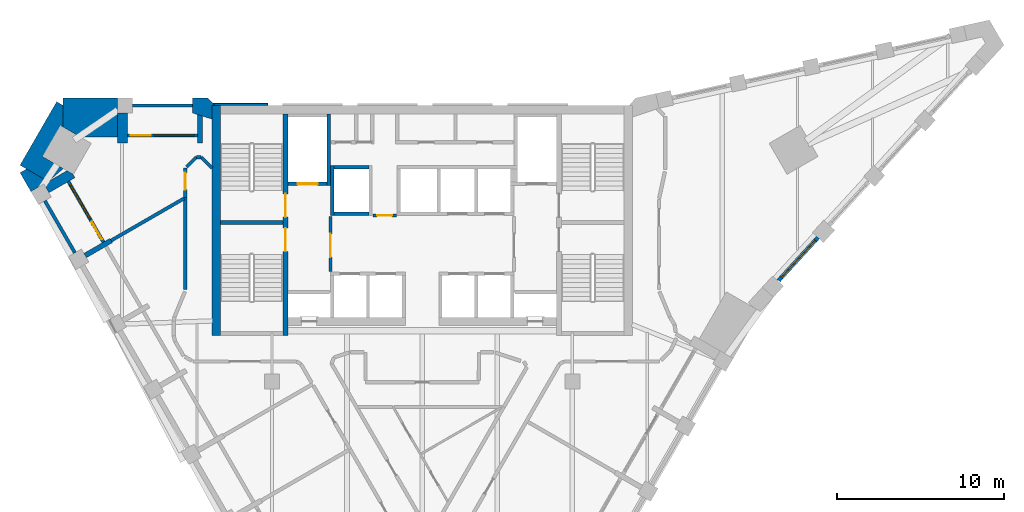
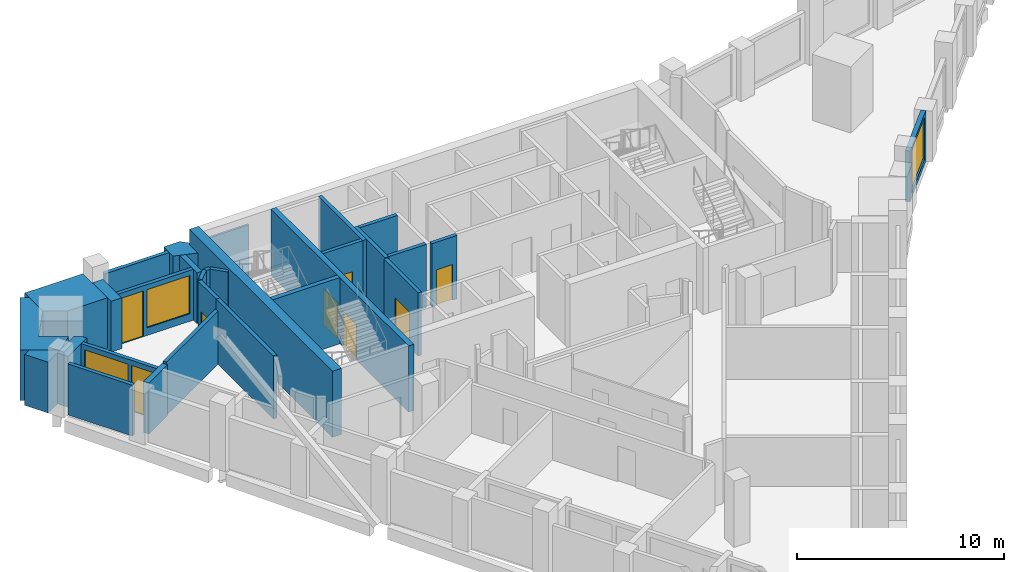
# One storey, part 5 of 8: 30 walls, 8 doors, 3 windows, 11 openings.
"""IFC4 building model written with IfcOpenShell, lengths in metres."""

from ifc_helpers import new_model, si_unit, direction, frame, frame_2d, origin, place, context, subcontext, project, spatial, polyline, rectangle, outline, extrude, material, layer, layer_set, type_object, element, fill, save


model = new_model("IFC4")

# Units and contexts
model_context = context("Model", 3, precision=1e-05, world=origin(), true_north=direction((0.0, 1.0)))
body_context = subcontext(model_context, "Body", "Model", "MODEL_VIEW")
ifc_project = project(units=[si_unit("LENGTHUNIT", "METRE"), si_unit("AREAUNIT", "SQUARE_METRE"), si_unit("VOLUMEUNIT", "CUBIC_METRE"), si_unit("PLANEANGLEUNIT", "RADIAN"), si_unit("MASSUNIT", "GRAM", prefix="KILO")], contexts=[model_context])

# Site, building, storey
site_placement = place(None, origin())
site = spatial("IfcSite", under=ifc_project, at=site_placement, CompositionType="ELEMENT")
building_placement = place(site_placement, origin())
building = spatial("IfcBuilding", under=site, at=building_placement, Name="Calabash Gate Tower", CompositionType="ELEMENT")
storey_placement = place(building_placement, frame((0.0, 0.0, 271.60009765625)))
storey = spatial("IfcBuildingStorey", under=building, at=storey_placement, Name="L65", CompositionType="ELEMENT", Elevation=271.60009765625)

# Walls
ifc_material_1 = material(Name="Terracotta brick masonry, exposed face", Category="masonry")
ifc_layer_1 = layer(ifc_material_1, 2.35009765625)
ifc_layer_set_1 = layer_set([ifc_layer_1], Name="Brick corner mass wall 2350")
wall_type_1 = type_object("IfcWallType", Name="Brick corner mass wall 2350", PredefinedType="SOLIDWALL", material=ifc_layer_set_1)
wall_1_placement = place(storey_placement, origin())
element("IfcWall", 1, at=wall_1_placement, inside=storey, type_object=wall_type_1, Name="Brick corner pier S19 3a", PredefinedType="SOLIDWALL", context=body_context, shape_type="SweptSolid", body=[
    extrude(outline(polyline([(-20.48193359375, 17.152587890625), (-18.271484375, 17.152587890625), (-18.271484375, 18.60302734375), (-18.27197265625, 18.60302734375), (-18.27197265625, 19.50244140625), (-21.524658203125, 19.50244140625), (-21.524658203125, 17.754638671875), (-20.48193359375, 17.152587890625)])), origin(), (0.0, 0.0, 1.0), 3.0),
])
wall_2_placement = place(storey_placement, origin())
element("IfcWall", 2, at=wall_2_placement, inside=storey, type_object=wall_type_1, Name="Brick corner pier S19 3b", PredefinedType="SOLIDWALL", context=body_context, shape_type="SweptSolid", body=[
    extrude(outline(polyline([(-22.7744140625, 15.993408203125), (-21.524658203125, 17.754638671875), (-21.524658203125, 19.052490234375), (-21.914306640625, 19.277587890625), (-24.113037109375, 15.46923828125), (-22.419189453125, 14.4912109375), (-21.51611328125, 15.26708984375), (-22.7744140625, 15.993408203125)])), origin(), (0.0, 0.0, 1.0), 3.0),
])
wall_3_placement = place(storey_placement, origin())
element("IfcWall", 3, at=wall_3_placement, inside=storey, type_object=wall_type_1, Name="Brick corner pier S19 3c", PredefinedType="SOLIDWALL", context=body_context, shape_type="SweptSolid", body=[
    extrude(outline(polyline([(-21.533935546875, 15.251953125), (-22.419189453125, 14.4912109375), (-23.723388671875, 15.244140625), (-24.113037109375, 15.019287109375), (-23.4609375, 13.8896484375), (-21.42578125, 15.064697265625), (-21.533935546875, 15.251953125)])), origin(), (0.0, 0.0, 1.0), 3.0),
])
ifc_material_2 = material(Name="Terracotta brick masonry, exposed face", Category="masonry")
ifc_layer_2 = layer(ifc_material_2, 0.89990234375)
ifc_layer_set_2 = layer_set([ifc_layer_2], Name="Brick end wall 900")
wall_type_2 = type_object("IfcWallType", Name="Brick end wall 900", PredefinedType="SOLIDWALL", material=ifc_layer_set_2)
wall_4_placement = place(storey_placement, origin())
element("IfcWall", 4, at=wall_4_placement, inside=storey, type_object=wall_type_2, Name="Brick pier S19 N6.5", PredefinedType="SOLIDWALL", context=body_context, shape_type="SweptSolid", body=[
    extrude(outline(polyline([(-12.41162109375, 19.052490234375), (-12.87158203125, 19.50244140625), (-13.771484375, 19.50244140625), (-13.771484375, 18.6025390625), (-12.60009765625, 18.23193359375), (-12.60009765625, 19.052490234375), (-12.41162109375, 19.052490234375)])), origin(), (0.0, 0.0, 1.0), 3.0),
])
ifc_material_3 = material(Name="Terracotta brick masonry, exposed face", Category="masonry")
ifc_layer_3 = layer(ifc_material_3, 0.300048828125)
ifc_layer_set_3 = layer_set([ifc_layer_3], Name="Brick loggia cheek wall 300")
wall_type_3 = type_object("IfcWallType", Name="Brick loggia cheek wall 300", PredefinedType="SOLIDWALL", material=ifc_layer_set_3)
wall_5_placement = place(storey_placement, origin())
element("IfcWall", 5, at=wall_5_placement, inside=storey, type_object=wall_type_3, Name="Loggia cheek S19 SW0.0", PredefinedType="SOLIDWALL", context=body_context, shape_type="SweptSolid", body=[
    extrude(outline(polyline([(-21.295654296875, 15.1396484375), (-22.680419921875, 14.34033203125), (-22.38037109375, 13.820556640625), (-20.82275390625, 14.719970703125), (-20.94970703125, 14.93994140625), (-21.295654296875, 15.1396484375)])), origin(), (0.0, 0.0, 1.0), 3.0),
])
wall_6_placement = place(storey_placement, frame((-20.20654296875, 10.052734375, 0.0), z_axis=(0.0, 0.0, 1.0), x_axis=(0.865989075817, 0.500062916607, 0.0)))
element("IfcWall", 6, at=wall_6_placement, inside=storey, type_object=wall_type_3, Name="Loggia cheek S19 SW0.1", PredefinedType="SOLIDWALL", context=body_context, shape_type="SweptSolid", body=[
    extrude(rectangle(XDim=1.800048828125, YDim=0.300048828125, at=frame_2d((0.89990234375, 0.0))), origin(), (0.0, 0.0, 1.0), 3.0),
])
wall_7_placement = place(storey_placement, origin())
element("IfcWall", 7, at=wall_7_placement, inside=storey, type_object=wall_type_3, Name="Loggia cheek S19 N6.5", PredefinedType="SOLIDWALL", context=body_context, shape_type="SweptSolid", body=[
    extrude(outline(polyline([(-13.4716796875, 16.802490234375), (-13.171630859375, 16.802490234375), (-13.171630859375, 18.412841796875), (-13.4716796875, 18.507568359375), (-13.4716796875, 17.152587890625), (-13.4716796875, 16.802490234375)])), origin(), (0.0, 0.0, 1.0), 3.0),
])
wall_8_placement = place(storey_placement, origin())
element("IfcWall", 8, at=wall_8_placement, inside=storey, type_object=wall_type_3, Name="Loggia cheek S19 N6.6", PredefinedType="SOLIDWALL", context=body_context, shape_type="SweptSolid", body=[
    extrude(outline(polyline([(-18.271484375, 18.6025390625), (-18.271484375, 16.802490234375), (-17.671630859375, 16.802490234375), (-17.671630859375, 18.6025390625), (-18.271484375, 18.6025390625)])), origin(), (0.0, 0.0, 1.0), 3.0),
])
ifc_material_4 = material(Name="Concrete C60/75", Category="concrete")
ifc_layer_4 = layer(ifc_material_4, 0.25)
ifc_layer_set_4 = layer_set([ifc_layer_4], Name="Core wall 250 Concrete C60/75")
wall_type_4 = type_object("IfcWallType", Name="Core wall 250 Concrete C60/75", PredefinedType="SHEAR", material=ifc_layer_set_4)
wall_9_placement = place(storey_placement, frame((-12.10009765625, 12.027587890625, 0.0), z_axis=(0.0, 0.0, 1.0), x_axis=(1.0, 0.0, 0.0)))
element("IfcWall", 9, at=wall_9_placement, inside=storey, type_object=wall_type_4, Name="Core wall Z5-MIDW L65", PredefinedType="SHEAR", context=body_context, shape_type="SweptSolid", body=[
    extrude(rectangle(XDim=3.75, YDim=0.25, at=frame_2d((1.875, 0.0))), origin(), (0.0, 0.0, 1.0), 3.89990234375),
])

# Wall, openings, doors
ifc_material_5 = material(Name="Concrete C60/75", Category="concrete")
ifc_layer_5 = layer(ifc_material_5, 0.300048828125)
ifc_layer_set_5 = layer_set([ifc_layer_5], Name="Core wall 300 Concrete C60/75")
wall_type_5 = type_object("IfcWallType", Name="Core wall 300 Concrete C60/75", PredefinedType="SHEAR", material=ifc_layer_set_5)
wall_10_placement = place(storey_placement, frame((-8.199951171875, 5.252685546875, 0.0), z_axis=(0.0, 0.0, 1.0), x_axis=(0.0, 1.0, 0.0)))
wall_10 = element("IfcWall", 10, at=wall_10_placement, inside=storey, type_object=wall_type_5, Name="Core wall Z5-PARTW L65", PredefinedType="SHEAR", context=body_context, shape_type="SweptSolid", body=[
    extrude(rectangle(XDim=13.2998046875, YDim=0.300048828125, at=frame_2d((6.64990234375, 0.0))), origin(), (0.0, 0.0, 1.0), 3.89990234375),
])
opening_1_placement = place(wall_10_placement, frame((7.10009765625, 0.0, 0.0)))
opening_1 = element("IfcOpeningElement", 11, at=opening_1_placement, cuts=wall_10, Name="Opening O11-010", PredefinedType="OPENING", context=body_context, shape_type="SweptSolid", body=[
    extrude(rectangle(XDim=1.39990234375, YDim=2.10009765625, at=frame_2d((0.699951171875, 1.050048828125))), frame((0.0, 0.159912109375, 0.0), z_axis=(0.0, -1.0, 0.0), x_axis=(1.0, 0.0, 0.0)), (0.0, 0.0, 1.0), 0.320068359375),
])
opening_2_placement = place(wall_10_placement, frame((5.050048828125, 0.0, 0.0)))
opening_2 = element("IfcOpeningElement", 12, at=opening_2_placement, cuts=wall_10, Name="Opening O11-011", PredefinedType="OPENING", context=body_context, shape_type="SweptSolid", body=[
    extrude(rectangle(XDim=1.39990234375, YDim=2.10009765625, at=frame_2d((0.699951171875, 1.050048828125))), frame((0.0, 0.159912109375, 0.0), z_axis=(0.0, -1.0, 0.0), x_axis=(1.0, 0.0, 0.0)), (0.0, 0.0, 1.0), 0.320068359375),
])
ifc_material_6 = material(Name="Steel fire door set with fire-resisting glazing", Category="steel")
door_type_1 = type_object("IfcDoorType", Name="Fire door D05 1400x2100 FD90", OperationType="NOTDEFINED", PredefinedType="DOOR", material=ifc_material_6)
door_1_placement = place(opening_1_placement, origin())
door_1 = element("IfcDoor", 13, at=door_1_placement, inside=storey, type_object=door_type_1, Name="Exit stair door ST1", OperationType="SINGLE_SWING_LEFT", OverallHeight=2.10009765625, OverallWidth=1.39990234375, PredefinedType="DOOR", context=body_context, shape_type="SweptSolid", body=[
    extrude(rectangle(XDim=1.39990234375, YDim=2.10009765625, at=frame_2d((0.699951171875, 1.050048828125))), frame((0.0, 0.02490234375, 0.0), z_axis=(0.0, -1.0, 0.0), x_axis=(1.0, 0.0, 0.0)), (0.0, 0.0, 1.0), 0.050048828125),
])
fill(opening_1, door_1)
door_2_placement = place(opening_2_placement, origin())
door_2 = element("IfcDoor", 14, at=door_2_placement, inside=storey, type_object=door_type_1, Name="Exit stair door ST2", OperationType="SINGLE_SWING_LEFT", OverallHeight=2.10009765625, OverallWidth=1.39990234375, PredefinedType="DOOR", context=body_context, shape_type="SweptSolid", body=[
    extrude(rectangle(XDim=1.39990234375, YDim=2.10009765625, at=frame_2d((0.699951171875, 1.050048828125))), frame((0.0, 0.02490234375, 0.0), z_axis=(0.0, -1.0, 0.0), x_axis=(1.0, 0.0, 0.0)), (0.0, 0.0, 1.0), 0.050048828125),
])
fill(opening_2, door_2)

# Walls
ifc_material_7 = material(Name="Concrete C60/75", Category="concrete")
ifc_layer_6 = layer(ifc_material_7, 0.5)
ifc_layer_set_6 = layer_set([ifc_layer_6], Name="Core wall 500 Concrete C60/75")
wall_type_6 = type_object("IfcWallType", Name="Core wall 500 Concrete C60/75", PredefinedType="SHEAR", material=ifc_layer_set_6)
wall_11_placement = place(storey_placement, frame((-12.35009765625, 5.252685546875, 0.0), z_axis=(0.0, 0.0, 1.0), x_axis=(0.0, 1.0, 0.0)))
element("IfcWall", 15, at=wall_11_placement, inside=storey, type_object=wall_type_6, Name="Core wall Z5-COLW L65", PredefinedType="SHEAR", context=body_context, shape_type="SweptSolid", body=[
    extrude(rectangle(XDim=13.7998046875, YDim=0.5, at=frame_2d((6.89990234375, 0.0))), origin(), (0.0, 0.0, 1.0), 3.89990234375),
])
ifc_material_8 = material(Name="Gypsum board on steel studs, mineral wool", Category="steel")
ifc_layer_7 = layer(ifc_material_8, 0.199951171875)
ifc_layer_set_7 = layer_set([ifc_layer_7], Name="Partition 200 gypsum board EI 60")
wall_type_7 = type_object("IfcWallType", Name="Partition 200 gypsum board EI 60", PredefinedType="PARTITIONING", material=ifc_layer_set_7)
wall_12_placement = place(storey_placement, frame((-14.201904296875, 13.51953125, 0.0), z_axis=(0.0, 0.0, 1.0), x_axis=(0.000266228859, -0.999999964561, 0.0)))
element("IfcWall", 16, at=wall_12_placement, inside=storey, type_object=wall_type_7, Name="Partition", PredefinedType="PARTITIONING", context=body_context, shape_type="SweptSolid", body=[
    extrude(rectangle(XDim=5.502197265625, YDim=0.199951171875, at=frame_2d((2.7509765625, 0.0))), origin(), (0.0, 0.0, 1.0), 3.72998046875),
])
wall_13_placement = place(storey_placement, frame((-18.647705078125, 10.952880859375, 0.0), z_axis=(0.0, 0.0, 1.0), x_axis=(0.866005524168, 0.500034430925, 0.0)))
element("IfcWall", 17, at=wall_13_placement, inside=storey, type_object=wall_type_7, Name="Partition", PredefinedType="PARTITIONING", context=body_context, shape_type="SweptSolid", body=[
    extrude(rectangle(XDim=5.035400390625, YDim=0.199951171875, at=frame_2d((2.517578125, 0.0))), origin(), (0.0, 0.0, 1.0), 3.1279296875),
])

# Wall, opening, door
wall_14_placement = place(storey_placement, frame((-14.200439453125, 13.5205078125, 0.0), z_axis=(0.0, 0.0, 1.0), x_axis=(0.0, 1.0, 0.0)))
wall_14 = element("IfcWall", 18, at=wall_14_placement, inside=storey, type_object=wall_type_7, Name="Partition", PredefinedType="PARTITIONING", context=body_context, shape_type="SweptSolid", body=[
    extrude(rectangle(XDim=1.7724609375, YDim=0.199951171875, at=frame_2d((0.88623046875, 0.0))), origin(), (0.0, 0.0, 1.0), 3.72998046875),
])
opening_3_placement = place(wall_14_placement, frame((0.485107421875, 0.0, 0.0)))
opening_3 = element("IfcOpeningElement", 19, at=opening_3_placement, cuts=wall_14, Name="Opening 65-66-006", PredefinedType="OPENING", context=body_context, shape_type="SweptSolid", body=[
    extrude(rectangle(XDim=1.0, YDim=2.10009765625, at=frame_2d((0.5, 1.050048828125))), frame((0.0, 0.10986328125, 0.0), z_axis=(0.0, -1.0, 0.0), x_axis=(1.0, 0.0, 0.0)), (0.0, 0.0, 1.0), 0.219970703125),
])
ifc_material_9 = material(Name="Steel fire door set with fire-resisting glazing", Category="steel")
door_type_2 = type_object("IfcDoorType", Name="LD2 Meeting room door 1000x2100", OperationType="NOTDEFINED", PredefinedType="DOOR", material=ifc_material_9)
door_3_placement = place(opening_3_placement, origin())
door_3 = element("IfcDoor", 20, at=door_3_placement, inside=storey, type_object=door_type_2, Name="Meeting room door", OperationType="SINGLE_SWING_LEFT", OverallHeight=2.10009765625, OverallWidth=1.0, PredefinedType="DOOR", context=body_context, shape_type="SweptSolid", body=[
    extrude(rectangle(XDim=1.0, YDim=2.10009765625, at=frame_2d((0.5, 1.050048828125))), frame((0.0, 0.02490234375, 0.0), z_axis=(0.0, -1.0, 0.0), x_axis=(1.0, 0.0, 0.0)), (0.0, 0.0, 1.0), 0.050048828125),
])
fill(opening_3, door_3)

# Walls
wall_15_placement = place(storey_placement, frame((-14.129638671875, 15.363525390625, 0.0), z_axis=(0.0, 0.0, 1.0), x_axis=(0.707106781187, 0.707106781187, 0.0)))
element("IfcWall", 21, at=wall_15_placement, inside=storey, type_object=wall_type_7, Name="Partition", PredefinedType="PARTITIONING", context=body_context, shape_type="SweptSolid", body=[
    extrude(rectangle(XDim=0.833740234375, YDim=0.199951171875, at=frame_2d((0.4169921875, 0.0))), origin(), (0.0, 0.0, 1.0), 3.72998046875),
])
wall_16_placement = place(storey_placement, frame((-13.5400390625, 15.953125, 0.0), z_axis=(0.0, 0.0, 1.0), x_axis=(0.99999962061, -0.000871079809, 0.0)))
element("IfcWall", 22, at=wall_16_placement, inside=storey, type_object=wall_type_7, Name="Partition", PredefinedType="PARTITIONING", context=body_context, shape_type="SweptSolid", body=[
    extrude(rectangle(XDim=0.2802734375, YDim=0.199951171875, at=frame_2d((0.14013671875, 0.0))), origin(), (0.0, 0.0, 1.0), 3.72998046875),
])
wall_17_placement = place(storey_placement, frame((-13.259765625, 15.952880859375, 0.0), z_axis=(0.0, 0.0, 1.0), x_axis=(0.708285399161, -0.705926195389, 0.0)))
element("IfcWall", 23, at=wall_17_placement, inside=storey, type_object=wall_type_7, Name="Partition", PredefinedType="PARTITIONING", context=body_context, shape_type="SweptSolid", body=[
    extrude(rectangle(XDim=0.931396484375, YDim=0.199951171875, at=frame_2d((0.4658203125, 0.0))), origin(), (0.0, 0.0, 1.0), 3.72998046875),
])

# Wall, opening, window
ifc_material_10 = material(Name="Aluminium framed window wall with insulated spandrel", Category="aluminium")
ifc_layer_8 = layer(ifc_material_10, 0.25)
ifc_layer_set_8 = layer_set([ifc_layer_8], Name="Prow window wall 250")
wall_type_8 = type_object("IfcWallType", Name="Prow window wall 250", PredefinedType="ELEMENTEDWALL", material=ifc_layer_set_8)
wall_18_placement = place(storey_placement, frame((21.367919921875, 8.5537109375, 0.0), z_axis=(0.0, 0.0, 1.0), x_axis=(0.67487449122, 0.737932531537, 0.0)))
wall_18 = element("IfcWall", 24, at=wall_18_placement, inside=storey, type_object=wall_type_8, Name="Prow window wall S19 wedge3.1", PredefinedType="ELEMENTEDWALL", context=body_context, shape_type="SweptSolid", body=[
    extrude(rectangle(XDim=3.5, YDim=0.25, at=frame_2d((1.75, 0.0))), origin(), (0.0, 0.0, 1.0), 3.0),
])
opening_4_placement = place(wall_18_placement, frame((0.25, 0.0, 0.300048828125)))
opening_4 = element("IfcOpeningElement", 25, at=opening_4_placement, cuts=wall_18, Name="Opening WP2", PredefinedType="OPENING", context=body_context, shape_type="SweptSolid", body=[
    extrude(rectangle(XDim=3.0, YDim=2.5, at=frame_2d((1.5, 1.25))), frame((0.0, 0.135009765625, 0.0), z_axis=(0.0, -1.0, 0.0), x_axis=(1.0, 0.0, 0.0)), (0.0, 0.0, 1.0), 0.27001953125),
])
ifc_material_11 = material(Name="Anodised aluminium frame, bronze finish, impact-rated laminated clear glazing", Category="aluminium")
window_type_1 = type_object("IfcWindowType", Name="Window WP2 3000x2500", PartitioningType="DOUBLE_PANEL_VERTICAL", PredefinedType="WINDOW", material=ifc_material_11)
window_1_placement = place(opening_4_placement, origin())
window_1 = element("IfcWindow", 26, at=window_1_placement, inside=storey, type_object=window_type_1, Name="Prow window WP2 S19 wedge3.1", OverallHeight=2.5, OverallWidth=3.0, PartitioningType="SINGLE_PANEL", PredefinedType="WINDOW", context=body_context, shape_type="SweptSolid", body=[
    extrude(rectangle(XDim=3.0, YDim=2.5, at=frame_2d((1.5, 1.25))), frame((0.0, 0.030029296875, 0.0), z_axis=(0.0, -1.0, 0.0), x_axis=(1.0, 0.0, 0.0)), (0.0, 0.0, 1.0), 0.06005859375),
])
fill(opening_4, window_1)

# Wall, opening, door
ifc_material_12 = material(Name="Concrete C40/50", Category="concrete")
ifc_layer_9 = layer(ifc_material_12, 0.199951171875)
ifc_layer_set_9 = layer_set([ifc_layer_9], Name="Shaft wall 200 Concrete C40/50")
wall_type_9 = type_object("IfcWallType", Name="Shaft wall 200 Concrete C40/50", PredefinedType="SOLIDWALL", material=ifc_layer_set_9)
wall_19_placement = place(storey_placement, frame((-5.5, 9.1025390625, 0.0), z_axis=(0.0, 0.0, 1.0), x_axis=(0.0, 1.0, 0.0)))
wall_19 = element("IfcWall", 27, at=wall_19_placement, inside=storey, type_object=wall_type_9, Name="Shaft wall", PredefinedType="SOLIDWALL", context=body_context, shape_type="SweptSolid", body=[
    extrude(rectangle(XDim=3.300048828125, YDim=0.199951171875, at=frame_2d((1.64990234375, 0.0))), origin(), (0.0, 0.0, 1.0), 3.72998046875),
])
opening_5_placement = place(wall_19_placement, frame((0.85009765625, 0.0, 0.0)))
opening_5 = element("IfcOpeningElement", 28, at=opening_5_placement, cuts=wall_19, Name="Opening O11-003", PredefinedType="OPENING", context=body_context, shape_type="SweptSolid", body=[
    extrude(rectangle(XDim=1.39990234375, YDim=2.10009765625, at=frame_2d((0.699951171875, 1.050048828125))), frame((0.0, 0.10986328125, 0.0), z_axis=(0.0, -1.0, 0.0), x_axis=(1.0, 0.0, 0.0)), (0.0, 0.0, 1.0), 0.219970703125),
])
door_4_placement = place(opening_5_placement, origin())
door_4 = element("IfcDoor", 29, at=door_4_placement, inside=storey, type_object=door_type_1, Name="Firefighting Lobby W door", OperationType="SINGLE_SWING_RIGHT", OverallHeight=2.10009765625, OverallWidth=1.39990234375, PredefinedType="DOOR", context=body_context, shape_type="SweptSolid", body=[
    extrude(rectangle(XDim=1.39990234375, YDim=2.10009765625, at=frame_2d((0.699951171875, 1.050048828125))), frame((0.0, 0.02490234375, 0.0), z_axis=(0.0, -1.0, 0.0), x_axis=(1.0, 0.0, 0.0)), (0.0, 0.0, 1.0), 0.050048828125),
])
fill(opening_5, door_4)

wall_20_placement = place(storey_placement, frame((-2.949951171875, 12.45263671875, 0.0), z_axis=(0.0, 0.0, 1.0), x_axis=(1.0, 0.0, 0.0)))
wall_20 = element("IfcWall", 30, at=wall_20_placement, inside=storey, type_object=wall_type_9, Name="Shaft wall", PredefinedType="SOLIDWALL", context=body_context, shape_type="SweptSolid", body=[
    extrude(rectangle(XDim=1.39990234375, YDim=0.199951171875, at=frame_2d((0.699951171875, 0.0))), origin(), (0.0, 0.0, 1.0), 3.72998046875),
])
opening_6_placement = place(wall_20_placement, frame((0.25, 0.0, 0.0)))
opening_6 = element("IfcOpeningElement", 31, at=opening_6_placement, cuts=wall_20, Name="Opening O11-001", PredefinedType="OPENING", context=body_context, shape_type="SweptSolid", body=[
    extrude(rectangle(XDim=0.89990234375, YDim=2.10009765625, at=frame_2d((0.449951171875, 1.050048828125))), frame((0.0, 0.10986328125, 0.0), z_axis=(0.0, -1.0, 0.0), x_axis=(1.0, 0.0, 0.0)), (0.0, 0.0, 1.0), 0.219970703125),
])
ifc_material_13 = material(Name="Steel fire door set with fire-resisting glazing", Category="steel")
door_type_3 = type_object("IfcDoorType", Name="Fire door D06 900x2100 FD60", OperationType="NOTDEFINED", PredefinedType="DOOR", material=ifc_material_13)
door_5_placement = place(opening_6_placement, origin())
door_5 = element("IfcDoor", 32, at=door_5_placement, inside=storey, type_object=door_type_3, Name="Service Corridor door", OperationType="SINGLE_SWING_RIGHT", OverallHeight=2.10009765625, OverallWidth=0.89990234375, PredefinedType="DOOR", context=body_context, shape_type="SweptSolid", body=[
    extrude(rectangle(XDim=0.89990234375, YDim=2.10009765625, at=frame_2d((0.449951171875, 1.050048828125))), frame((0.0, 0.02490234375, 0.0), z_axis=(0.0, -1.0, 0.0), x_axis=(1.0, 0.0, 0.0)), (0.0, 0.0, 1.0), 0.050048828125),
])
fill(opening_6, door_5)

# Walls
wall_21_placement = place(storey_placement, frame((-5.39990234375, 12.45263671875, 0.0), z_axis=(0.0, 0.0, 1.0), x_axis=(0.0, 1.0, 0.0)))
element("IfcWall", 33, at=wall_21_placement, inside=storey, type_object=wall_type_9, Name="Shaft wall", PredefinedType="SOLIDWALL", context=body_context, shape_type="SweptSolid", body=[
    extrude(rectangle(XDim=3.0, YDim=0.199951171875, at=frame_2d((1.5, 0.0))), origin(), (0.0, 0.0, 1.0), 3.72998046875),
])
wall_22_placement = place(storey_placement, frame((-5.300048828125, 12.552490234375, 0.0), z_axis=(0.0, 0.0, 1.0), x_axis=(1.0, 0.0, 0.0)))
element("IfcWall", 34, at=wall_22_placement, inside=storey, type_object=wall_type_9, Name="Shaft wall", PredefinedType="SOLIDWALL", context=body_context, shape_type="SweptSolid", body=[
    extrude(rectangle(XDim=2.10009765625, YDim=0.199951171875, at=frame_2d((1.050048828125, 0.0))), origin(), (0.0, 0.0, 1.0), 3.72998046875),
])

# Wall, opening, door
wall_23_placement = place(storey_placement, frame((-8.050048828125, 14.3525390625, 0.0), z_axis=(0.0, 0.0, 1.0), x_axis=(1.0, 0.0, 0.0)))
wall_23 = element("IfcWall", 35, at=wall_23_placement, inside=storey, type_object=wall_type_9, Name="Shaft wall", PredefinedType="SOLIDWALL", context=body_context, shape_type="SweptSolid", body=[
    extrude(rectangle(XDim=2.35009765625, YDim=0.199951171875, at=frame_2d((1.175048828125, 0.0))), origin(), (0.0, 0.0, 1.0), 3.72998046875),
])
opening_7_placement = place(wall_23_placement, frame((0.574951171875, 0.0, 0.0)))
opening_7 = element("IfcOpeningElement", 36, at=opening_7_placement, cuts=wall_23, Name="Opening LD-FF1", PredefinedType="OPENING", context=body_context, shape_type="SweptSolid", body=[
    extrude(rectangle(XDim=1.199951171875, YDim=2.10009765625, at=frame_2d((0.60009765625, 1.050048828125))), frame((0.0, 0.10986328125, 0.0), z_axis=(0.0, -1.0, 0.0), x_axis=(1.0, 0.0, 0.0)), (0.0, 0.0, 1.0), 0.219970703125),
])
ifc_material_14 = material(Name="Stainless steel sliding door leaves", Category="steel")
door_type_4 = type_object("IfcDoorType", Name="Lift landing door LS3 1200x2100 FD90", OperationType="DOUBLE_DOOR_SLIDING", PredefinedType="DOOR", material=ifc_material_14)
door_6_placement = place(opening_7_placement, origin())
door_6 = element("IfcDoor", 37, at=door_6_placement, inside=storey, type_object=door_type_4, Name="Lift landing door FF1", OperationType="DOUBLE_DOOR_SLIDING", OverallHeight=2.10009765625, OverallWidth=1.199951171875, PredefinedType="DOOR", context=body_context, shape_type="SweptSolid", body=[
    extrude(rectangle(XDim=1.199951171875, YDim=2.10009765625, at=frame_2d((0.60009765625, 1.050048828125))), frame((0.0, 0.02490234375, 0.0), z_axis=(0.0, -1.0, 0.0), x_axis=(1.0, 0.0, 0.0)), (0.0, 0.0, 1.0), 0.050048828125),
])
fill(opening_7, door_6)

# Walls
wall_24_placement = place(storey_placement, frame((-5.60009765625, 14.252685546875, 0.0), z_axis=(0.0, 0.0, 1.0), x_axis=(0.0, 1.0, 0.0)))
element("IfcWall", 38, at=wall_24_placement, inside=storey, type_object=wall_type_9, Name="Shaft wall", PredefinedType="SOLIDWALL", context=body_context, shape_type="SweptSolid", body=[
    extrude(rectangle(XDim=4.2998046875, YDim=0.199951171875, at=frame_2d((2.14990234375, 0.0))), origin(), (0.0, 0.0, 1.0), 3.72998046875),
])
wall_25_placement = place(storey_placement, frame((-5.300048828125, 15.3525390625, 0.0), z_axis=(0.0, 0.0, 1.0), x_axis=(1.0, 0.0, 0.0)))
element("IfcWall", 39, at=wall_25_placement, inside=storey, type_object=wall_type_9, Name="Shaft wall", PredefinedType="SOLIDWALL", context=body_context, shape_type="SweptSolid", body=[
    extrude(rectangle(XDim=2.10009765625, YDim=0.199951171875, at=frame_2d((1.050048828125, 0.0))), origin(), (0.0, 0.0, 1.0), 3.72998046875),
])
ifc_material_15 = material(Name="Terracotta brick masonry, perforated", Category="masonry")
ifc_layer_10 = layer(ifc_material_15, 0.1201171875)
ifc_layer_set_10 = layer_set([ifc_layer_10], Name="Terracotta jaali cladding A 120")
wall_type_10 = type_object("IfcWallType", Name="Terracotta jaali cladding A 120", PredefinedType="SOLIDWALL", material=ifc_layer_set_10)
wall_26_placement = place(storey_placement, origin())
element("IfcWall", 40, at=wall_26_placement, inside=storey, type_object=wall_type_10, Name="Jaali cladding S19 N6.5", PredefinedType="SOLIDWALL", context=body_context, shape_type="SweptSolid", body=[
    extrude(outline(polyline([(-12.4111328125, 19.052490234375), (-9.271484375, 19.052490234375), (-9.271484375, 19.172607421875), (-12.533447265625, 19.172607421875), (-12.4111328125, 19.052490234375)])), origin(), (0.0, 0.0, 1.0), 3.0),
])
ifc_material_16 = material(Name="Terracotta brick masonry, perforated", Category="masonry")
ifc_layer_11 = layer(ifc_material_16, 0.199951171875)
ifc_layer_set_11 = layer_set([ifc_layer_11], Name="Terracotta jaali screen A")
wall_type_11 = type_object("IfcWallType", Name="Terracotta jaali screen A", PredefinedType="SOLIDWALL", material=ifc_layer_set_11)
for number, where, z_axis, x_axis, name in (
    (41, (-22.621337890625, 13.335205078125, 0.0), (0.0, 0.0, 1.0), (0.500012057535, -0.866018442252, 0.0), "SCREEN A S19 SW0.1"),
    (42, (-13.771484375, 19.052490234375, 0.0), (0.0, 0.0, 1.0), (-1.0, 0.0, 0.0), "SCREEN A S19 N6.6"),
):
    element("IfcWall", number, at=place(storey_placement, frame(where, z_axis=z_axis, x_axis=x_axis)), inside=storey, type_object=wall_type_11, Name=name, PredefinedType="SOLIDWALL", context=body_context, shape_type="SweptSolid", body=[
        extrude(rectangle(XDim=3.60009765625, YDim=0.199951171875, at=frame_2d((1.800048828125, 0.0))), origin(), (0.0, 0.0, 1.0), 3.0),
    ])

# Wall, openings, door, window
ifc_material_17 = material(Name="Aluminium framed window wall with insulated spandrel", Category="aluminium")
ifc_layer_12 = layer(ifc_material_17, 0.199951171875)
ifc_layer_set_12 = layer_set([ifc_layer_12], Name="Window wall 200")
wall_type_12 = type_object("IfcWallType", Name="Window wall 200", PredefinedType="ELEMENTEDWALL", material=ifc_layer_set_12)
wall_27_placement = place(storey_placement, frame((-21.21240234375, 14.4951171875, 0.0), z_axis=(0.0, 0.0, 1.0), x_axis=(0.500002543286, -0.866023935413, 0.0)))
wall_27 = element("IfcWall", 43, at=wall_27_placement, inside=storey, type_object=wall_type_12, Name="Window wall S19 SW0.1", PredefinedType="ELEMENTEDWALL", context=body_context, shape_type="SweptSolid", body=[
    extrude(rectangle(XDim=4.2001953125, YDim=0.199951171875, at=frame_2d((2.10009765625, 0.0))), origin(), (0.0, 0.0, 1.0), 3.0),
])
opening_8_placement = place(wall_27_placement, frame((0.199951171875, 0.0, 0.449951171875)))
opening_8 = element("IfcOpeningElement", 44, at=opening_8_placement, cuts=wall_27, Name="Opening OW1", PredefinedType="OPENING", context=body_context, shape_type="SweptSolid", body=[
    extrude(rectangle(XDim=2.39990234375, YDim=2.25, at=frame_2d((1.199951171875, 1.125))), frame((0.0, 0.10986328125, 0.0), z_axis=(0.0, -1.0, 0.0), x_axis=(1.0, 0.0, 0.0)), (0.0, 0.0, 1.0), 0.219970703125),
])
opening_9_placement = place(wall_27_placement, frame((2.800048828125, 0.0, 0.0)))
opening_9 = element("IfcOpeningElement", 45, at=opening_9_placement, cuts=wall_27, Name="Opening O11-018", PredefinedType="OPENING", context=body_context, shape_type="SweptSolid", body=[
    extrude(rectangle(XDim=1.199951171875, YDim=2.699951171875, at=frame_2d((0.60009765625, 1.35009765625))), frame((0.0, 0.10986328125, 0.0), z_axis=(0.0, -1.0, 0.0), x_axis=(1.0, 0.0, 0.0)), (0.0, 0.0, 1.0), 0.219970703125),
])
ifc_material_18 = material(Name="Anodised aluminium frame, bronze finish, impact-rated laminated clear glazing", Category="aluminium")
door_type_5 = type_object("IfcDoorType", Name="Loggia door DO1 1200x2700", OperationType="SLIDING_TO_LEFT", PredefinedType="DOOR", material=ifc_material_18)
door_7_placement = place(opening_9_placement, origin())
door_7 = element("IfcDoor", 46, at=door_7_placement, inside=storey, type_object=door_type_5, Name="Loggia door S19 SW0.1", OperationType="SINGLE_SWING_LEFT", OverallHeight=2.699951171875, OverallWidth=1.199951171875, PredefinedType="DOOR", context=body_context, shape_type="SweptSolid", body=[
    extrude(rectangle(XDim=1.199951171875, YDim=2.699951171875, at=frame_2d((0.60009765625, 1.35009765625))), frame((0.0, 0.02490234375, 0.0), z_axis=(0.0, -1.0, 0.0), x_axis=(1.0, 0.0, 0.0)), (0.0, 0.0, 1.0), 0.050048828125),
])
fill(opening_9, door_7)
ifc_material_19 = material(Name="Anodised aluminium frame, bronze finish, impact-rated laminated clear glazing", Category="aluminium")
window_type_2 = type_object("IfcWindowType", Name="Window OW1 2400x2250", PartitioningType="DOUBLE_PANEL_VERTICAL", PredefinedType="WINDOW", material=ifc_material_19)
window_2_placement = place(opening_8_placement, origin())
window_2 = element("IfcWindow", 47, at=window_2_placement, inside=storey, type_object=window_type_2, Name="Window OW1 S19 SW0.1", OverallHeight=2.25, OverallWidth=2.39990234375, PartitioningType="SINGLE_PANEL", PredefinedType="WINDOW", context=body_context, shape_type="SweptSolid", body=[
    extrude(rectangle(XDim=2.39990234375, YDim=2.25, at=frame_2d((1.199951171875, 1.125))), frame((0.0, 0.030029296875, 0.0), z_axis=(0.0, -1.0, 0.0), x_axis=(1.0, 0.0, 0.0)), (0.0, 0.0, 1.0), 0.06005859375),
])
fill(opening_8, window_2)

wall_28_placement = place(storey_placement, frame((-13.4716796875, 17.25244140625, 0.0), z_axis=(0.0, 0.0, 1.0), x_axis=(-1.0, 0.0, 0.0)))
wall_28 = element("IfcWall", 48, at=wall_28_placement, inside=storey, type_object=wall_type_12, Name="Window wall S19 N6.6", PredefinedType="ELEMENTEDWALL", context=body_context, shape_type="SweptSolid", body=[
    extrude(rectangle(XDim=4.199951171875, YDim=0.199951171875, at=frame_2d((2.10009765625, 0.0))), origin(), (0.0, 0.0, 1.0), 3.0),
])
opening_10_placement = place(wall_28_placement, frame((0.199951171875, 0.0, 0.449951171875)))
opening_10 = element("IfcOpeningElement", 49, at=opening_10_placement, cuts=wall_28, Name="Opening OW1", PredefinedType="OPENING", context=body_context, shape_type="SweptSolid", body=[
    extrude(rectangle(XDim=2.39990234375, YDim=2.25, at=frame_2d((1.199951171875, 1.125))), frame((0.0, 0.10986328125, 0.0), z_axis=(0.0, -1.0, 0.0), x_axis=(1.0, 0.0, 0.0)), (0.0, 0.0, 1.0), 0.219970703125),
])
opening_11_placement = place(wall_28_placement, frame((2.800048828125, 0.0, 0.0)))
opening_11 = element("IfcOpeningElement", 50, at=opening_11_placement, cuts=wall_28, Name="Opening O11-014", PredefinedType="OPENING", context=body_context, shape_type="SweptSolid", body=[
    extrude(rectangle(XDim=1.199951171875, YDim=2.699951171875, at=frame_2d((0.60009765625, 1.35009765625))), frame((0.0, 0.10986328125, 0.0), z_axis=(0.0, -1.0, 0.0), x_axis=(1.0, 0.0, 0.0)), (0.0, 0.0, 1.0), 0.219970703125),
])
door_8_placement = place(opening_11_placement, origin())
door_8 = element("IfcDoor", 51, at=door_8_placement, inside=storey, type_object=door_type_5, Name="Loggia door S19 N6.6", OperationType="SINGLE_SWING_LEFT", OverallHeight=2.699951171875, OverallWidth=1.199951171875, PredefinedType="DOOR", context=body_context, shape_type="SweptSolid", body=[
    extrude(rectangle(XDim=1.199951171875, YDim=2.699951171875, at=frame_2d((0.60009765625, 1.35009765625))), frame((0.0, 0.02490234375, 0.0), z_axis=(0.0, -1.0, 0.0), x_axis=(1.0, 0.0, 0.0)), (0.0, 0.0, 1.0), 0.050048828125),
])
fill(opening_11, door_8)
window_3_placement = place(opening_10_placement, origin())
window_3 = element("IfcWindow", 52, at=window_3_placement, inside=storey, type_object=window_type_2, Name="Window OW1 S19 N6.6", OverallHeight=2.25, OverallWidth=2.39990234375, PartitioningType="SINGLE_PANEL", PredefinedType="WINDOW", context=body_context, shape_type="SweptSolid", body=[
    extrude(rectangle(XDim=2.39990234375, YDim=2.25, at=frame_2d((1.199951171875, 1.125))), frame((0.0, 0.030029296875, 0.0), z_axis=(0.0, -1.0, 0.0), x_axis=(1.0, 0.0, 0.0)), (0.0, 0.0, 1.0), 0.06005859375),
])
fill(opening_10, window_3)

save(model, "model.ifc")
